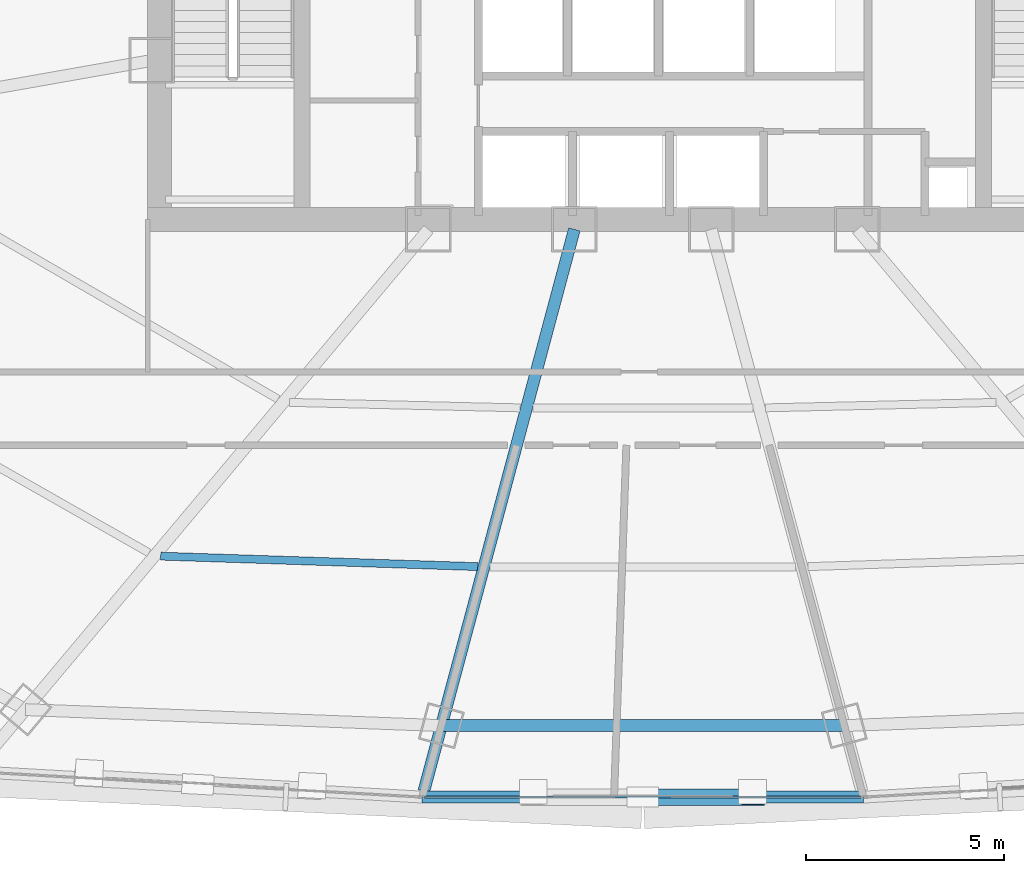
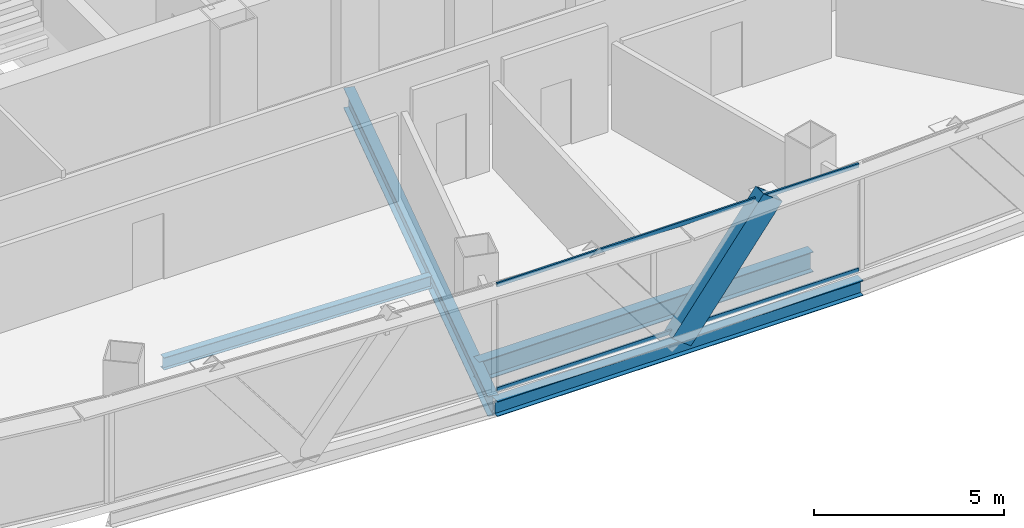
# One storey, part 11 of 42: 4 beams, 3 members, 1 element without a shape of its own.
"""IFC4 building model written with IfcOpenShell, lengths in metres."""

from ifc_helpers import new_model, si_unit, direction, frame, origin, origin_2d, place, context, subcontext, project, spatial, hollow_rectangle, i_section, extrude, source, transform, mapped, material, layer, layer_set, material_profile, profile_set, type_object, element, aggregate, save


model = new_model("IFC4")

# Units and contexts
model_context = context("Model", 3, precision=1e-05, world=origin(), true_north=direction((0.0, 1.0)))
body_context = subcontext(model_context, "Body", "Model", "MODEL_VIEW")
ifc_project = project(units=[si_unit("LENGTHUNIT", "METRE"), si_unit("AREAUNIT", "SQUARE_METRE"), si_unit("VOLUMEUNIT", "CUBIC_METRE"), si_unit("PLANEANGLEUNIT", "RADIAN"), si_unit("MASSUNIT", "GRAM", prefix="KILO"), si_unit("THERMODYNAMICTEMPERATUREUNIT", "KELVIN"), si_unit("POWERUNIT", "WATT")], contexts=[model_context])

# Site, building, storey
site_placement = place(None, origin())
site = spatial("IfcSite", under=ifc_project, at=site_placement, CompositionType="ELEMENT")
building_placement = place(site_placement, origin())
building = spatial("IfcBuilding", under=site, at=building_placement, Name="Yunzhuo Pagoda Commons", CompositionType="ELEMENT")
storey_placement = place(building_placement, frame((0.0, 0.0, 137.18994140625)))
storey = spatial("IfcBuildingStorey", under=building, at=storey_placement, Name="L34", CompositionType="ELEMENT", Elevation=137.18994140625)

# Beams
ifc_material_1 = material(Name="Structural steel Q355B", Category="steel")
ifc_material_profile_1 = material_profile(ifc_material_1, i_section(OverallWidth=0.300048828125, OverallDepth=0.488037109375, WebThickness=0.010986328125, FlangeThickness=0.01806640625, at=origin_2d()), Name="Structural steel Q355B")
ifc_profile_set_1 = profile_set([ifc_material_profile_1], Name="Structural steel Q355B")
beam_type_1 = type_object("IfcBeamType", Name="B-SP1 Beam HM 488x300x11x18", PredefinedType="BEAM", material=ifc_profile_set_1)
shared_shape_1 = source(origin(), body_context, "Body", "SweptSolid", [
    extrude(i_section(OverallWidth=0.300048828125, OverallDepth=0.488037109375, WebThickness=0.010986328125, FlangeThickness=0.01806640625, at=origin_2d()), origin(), (0.0, 0.0, 1.0), 11.13720703125),
])
beam_1_placement = place(storey_placement, frame((42.431640625, 12.917724609375, -0.50390625), z_axis=(1.0, 0.0, 0.0), x_axis=(0.0, 1.0, 0.0)))
element("IfcBeam", 1, at=beam_1_placement, inside=storey, type_object=beam_type_1, Name="L34 facade edge spandrel beam F1.2", PredefinedType="BEAM", context=body_context, shape_type="MappedRepresentation", body=[
    mapped(shared_shape_1, transform((0.0, 0.0, 0.0), scale=1.0)),
])
ifc_material_profile_2 = material_profile(ifc_material_1, i_section(OverallWidth=0.300048828125, OverallDepth=0.64990234375, WebThickness=0.012939453125, FlangeThickness=0.02197265625, at=origin_2d()), Name="Structural steel Q355B")
ifc_profile_set_2 = profile_set([ifc_material_profile_2], Name="Structural steel Q355B")
beam_type_2 = type_object("IfcBeamType", Name="B-RG2 Beam HN 650x300x13x22", PredefinedType="BEAM", material=ifc_profile_set_2)
shared_shape_2 = source(origin(), body_context, "Body", "SweptSolid", [
    extrude(i_section(OverallWidth=0.300048828125, OverallDepth=0.64990234375, WebThickness=0.012939453125, FlangeThickness=0.02197265625, at=origin_2d()), origin(), (0.0, 0.0, 1.0), 14.68310546875),
])
beam_2_placement = place(storey_placement, frame((42.4716796875, 13.067138671875, -0.584716796875), z_axis=(0.258819472716, 0.96592571171, 0.0), x_axis=(-0.96592571171, 0.258819472716, 0.0)))
element("IfcBeam", 2, at=beam_2_placement, inside=storey, type_object=beam_type_2, Name="L34 radial floor girder F1C2", PredefinedType="BEAM", context=body_context, shape_type="MappedRepresentation", body=[
    mapped(shared_shape_2, transform((0.0, 0.0, 0.0), scale=1.0)),
])
ifc_material_profile_3 = material_profile(ifc_material_1, i_section(OverallWidth=0.199951171875, OverallDepth=0.39990234375, WebThickness=0.008056640625, FlangeThickness=0.012939453125, at=origin_2d()), Name="Structural steel Q355B")
ifc_profile_set_3 = profile_set([ifc_material_profile_3], Name="Structural steel Q355B")
beam_type_3 = type_object("IfcBeamType", Name="B-JS1 Joist HN 400x200x8x13", PredefinedType="JOIST", material=ifc_profile_set_3)
shared_shape_3 = source(origin(), body_context, "Body", "SweptSolid", [
    extrude(i_section(OverallWidth=0.199951171875, OverallDepth=0.39990234375, WebThickness=0.008056640625, FlangeThickness=0.012939453125, at=origin_2d()), origin(), (0.0, 0.0, 1.0), 8.00537109375),
])
beam_3_placement = place(storey_placement, frame((35.8291015625, 19.00048828125, -0.459716796875), z_axis=(0.999453403952, -0.033058937199, 0.0), x_axis=(0.033058937199, 0.999453403952, 0.0)))
element("IfcBeam", 3, at=beam_3_placement, inside=storey, type_object=beam_type_3, Name="L34 composite ring joist 2.1", PredefinedType="JOIST", context=body_context, shape_type="MappedRepresentation", body=[
    mapped(shared_shape_3, transform((0.0, 0.0, 0.0), scale=1.0)),
])
shared_shape_4 = source(origin(), body_context, "Body", "SweptSolid", [
    extrude(i_section(OverallWidth=0.300048828125, OverallDepth=0.64990234375, WebThickness=0.012939453125, FlangeThickness=0.02197265625, at=origin_2d()), origin(), (0.0, 0.0, 1.0), 10.17041015625),
])
beam_4_placement = place(storey_placement, frame((42.914794921875, 14.7216796875, -0.584716796875), z_axis=(1.0, 0.0, 0.0), x_axis=(0.0, 1.0, 0.0)))
element("IfcBeam", 4, at=beam_4_placement, inside=storey, type_object=beam_type_2, Name="L34 column-ring beam 2", PredefinedType="BEAM", context=body_context, shape_type="MappedRepresentation", body=[
    mapped(shared_shape_4, transform((0.0, 0.0, 0.0), scale=1.0)),
])

# Member
ifc_material_2 = material(Name="Structural steel Q420B", Category="steel")
ifc_material_profile_4 = material_profile(ifc_material_2, hollow_rectangle(XDim=0.419921875, YDim=0.719970703125, WallThickness=0.028076171875, at=origin_2d()), Name="Structural steel Q420B")
ifc_profile_set_4 = profile_set([ifc_material_profile_4], Name="Structural steel Q420B")
member_type_1 = type_object("IfcMemberType", Name="M-DL1 Brace BOX 720x420x28", PredefinedType="BRACE", material=ifc_profile_set_4)
shared_shape_5 = source(origin(), body_context, "Body", "SweptSolid", [
    extrude(hollow_rectangle(XDim=0.419921875, YDim=0.719970703125, WallThickness=0.028076171875, at=origin_2d()), origin(), (0.0, 0.0, 1.0), 4.61474609375),
])
member_1_placement = place(storey_placement, frame((48.0, 12.917724609375, -0.260009765625), z_axis=(0.603363570084, 0.0, 0.797466238969), x_axis=(0.0, 1.0, 0.0)))
element("IfcMember", 5, at=member_1_placement, inside=storey, type_object=member_type_1, Name="L34 facade diamond brace F1.2R", PredefinedType="BRACE", context=body_context, shape_type="MappedRepresentation", body=[
    mapped(shared_shape_5, transform((0.0, 0.0, 0.0), scale=1.0)),
])

# Curtain wall, members
ifc_material_3 = material(Name="Anodized aluminium 6063-T6", Category="aluminium")
ifc_layer = layer(ifc_material_3, 0.14990234375)
ifc_layer_set = layer_set([ifc_layer], Name="Anodized aluminium 6063-T6")
curtain_wall_type = type_object("IfcCurtainWallType", Name="CW-MID Mid-Zone Ribbon Curtain Wall", PredefinedType="NOTDEFINED", material=ifc_layer_set)
curtain_wall_placement = place(storey_placement, origin())
curtain_wall = element("IfcCurtainWall", 6, at=curtain_wall_placement, inside=storey, type_object=curtain_wall_type, Name="L34 curtain wall CW-L34-F1B3", PredefinedType="NOTDEFINED")
ifc_material_profile_5 = material_profile(ifc_material_3, hollow_rectangle(XDim=0.054931640625, YDim=0.1298828125, WallThickness=0.00341796875, at=origin_2d()), Name="Anodized aluminium 6063-T6")
ifc_profile_set_5 = profile_set([ifc_material_profile_5], Name="Anodized aluminium 6063-T6")
member_type_2 = type_object("IfcMemberType", Name="CW-MID-T Transom RHS 130x55x3.5", PredefinedType="USERDEFINED", material=ifc_profile_set_5)
shared_shape_6 = source(origin(), body_context, "Body", "SweptSolid", [
    extrude(hollow_rectangle(XDim=0.054931640625, YDim=0.1298828125, WallThickness=0.00341796875, at=origin_2d()), origin(), (0.0, 0.0, 1.0), 11.017578125),
])
member_2_placement = place(storey_placement, frame((42.4912109375, 12.917724609375, 0.027587890625), z_axis=(1.0, 0.0, 0.0), x_axis=(0.0, 1.0, 0.0)))
member_2 = element("IfcMember", 7, at=member_2_placement, type_object=member_type_2, Name="CW transom 1.1", ObjectType="TRANSOM", PredefinedType="USERDEFINED", context=body_context, shape_type="MappedRepresentation", body=[
    mapped(shared_shape_6, transform((0.0, 0.0, 0.0), scale=1.0)),
])
member_3_placement = place(storey_placement, frame((42.4912109375, 12.917724609375, 3.392822265625), z_axis=(1.0, 0.0, 0.0), x_axis=(0.0, 1.0, 0.0)))
member_3 = element("IfcMember", 8, at=member_3_placement, type_object=member_type_2, Name="CW transom 1.2", ObjectType="TRANSOM", PredefinedType="USERDEFINED", context=body_context, shape_type="MappedRepresentation", body=[
    mapped(shared_shape_6, transform((0.0, 0.0, 0.0), scale=1.0)),
])
aggregate(curtain_wall, [member_2, member_3])

save(model, "model.ifc")
